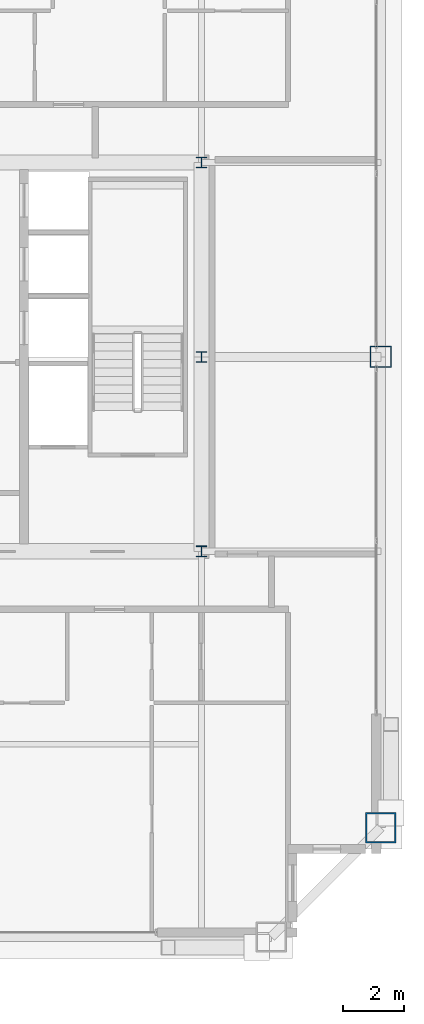
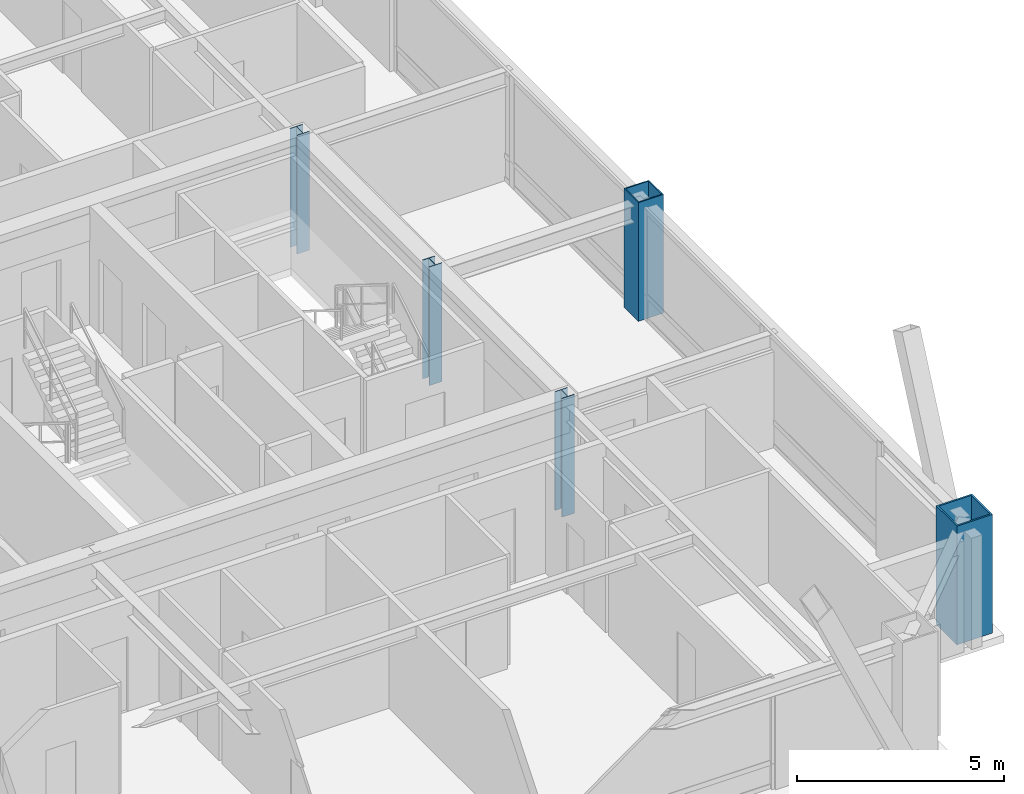
# One storey, part 2 of 33: 5 columns.
"""IFC4 building model written with IfcOpenShell, lengths in metres."""

from ifc_helpers import new_model, si_unit, direction, frame, origin, origin_2d, place, context, subcontext, project, spatial, hollow_rectangle, i_section, extrude, source, transform, mapped, material, material_profile, profile_set, type_object, element, save


model = new_model("IFC4")

# Units and contexts
model_context = context("Model", 3, precision=1e-05, world=origin(), true_north=direction((0.0, 1.0)))
body_context = subcontext(model_context, "Body", "Model", "MODEL_VIEW")
ifc_project = project(units=[si_unit("LENGTHUNIT", "METRE"), si_unit("AREAUNIT", "SQUARE_METRE"), si_unit("VOLUMEUNIT", "CUBIC_METRE"), si_unit("PLANEANGLEUNIT", "RADIAN"), si_unit("MASSUNIT", "GRAM", prefix="KILO"), si_unit("THERMODYNAMICTEMPERATUREUNIT", "KELVIN"), si_unit("POWERUNIT", "WATT")], contexts=[model_context])

# Site, building, storey
site_placement = place(None, origin())
site = spatial("IfcSite", under=ifc_project, at=site_placement, CompositionType="ELEMENT")
building_placement = place(site_placement, origin())
building = spatial("IfcBuilding", under=site, at=building_placement, Name="Yuzanri Waterfront Tower", CompositionType="ELEMENT")
storey_placement = place(building_placement, frame((0.0, 0.0, 292.60009765625)))
storey = spatial("IfcBuildingStorey", under=building, at=storey_placement, Name="L78", CompositionType="ELEMENT", Elevation=292.60009765625)

# Columns
ifc_material_1 = material(Name="Steel Q355B", Category="steel")
ifc_material_profile_1 = material_profile(ifc_material_1, hollow_rectangle(XDim=0.699951171875, YDim=0.699951171875, WallThickness=0.031982421875, at=origin_2d()), Name="RHS 700x700x32")
ifc_profile_set_1 = profile_set([ifc_material_profile_1], Name="Steel Q355B")
column_type_1 = type_object("IfcColumnType", Name="Frame Column Q355B RHS 700x700x32", PredefinedType="COLUMN", material=ifc_profile_set_1)
shared_shape_1 = source(origin(), body_context, "Body", "SweptSolid", [
    extrude(hollow_rectangle(XDim=0.699951171875, YDim=0.699951171875, WallThickness=0.031982421875, at=origin_2d()), origin(), (0.0, 0.0, 1.0), 3.5),
])
column_1_placement = place(storey_placement, frame((56.10009765625, 25.800048828125, 0.0), z_axis=(0.0, 0.0, 1.0), x_axis=(1.0, 0.0, 0.0)))
element("IfcColumn", 1, at=column_1_placement, inside=storey, type_object=column_type_1, Name="L78 Perimeter Frame Column E2", PredefinedType="COLUMN", context=body_context, shape_type="MappedRepresentation", body=[
    mapped(shared_shape_1, transform((0.0, 0.0, 0.0), scale=1.0)),
])
ifc_material_2 = material(Name="Steel Q355B", Category="steel")
ifc_material_profile_2 = material_profile(ifc_material_2, i_section(OverallWidth=0.35009765625, OverallDepth=0.35009765625, WebThickness=0.011962890625, FlangeThickness=0.01904296875, at=origin_2d()), Name="HW 350x350x12x19")
ifc_profile_set_2 = profile_set([ifc_material_profile_2], Name="Steel Q355B")
column_type_2 = type_object("IfcColumnType", Name="Core Post Q355B HW 350x350x12x19", PredefinedType="COLUMN", material=ifc_profile_set_2)
shared_shape_2 = source(origin(), body_context, "Body", "SweptSolid", [
    extrude(i_section(OverallWidth=0.35009765625, OverallDepth=0.35009765625, WebThickness=0.011962890625, FlangeThickness=0.01904296875, at=origin_2d()), origin(), (0.0, 0.0, 1.0), 3.5),
])
for number, where, z_axis, x_axis, name in (
    (2, (50.199951171875, 19.39990234375, 0.0), (0.0, 0.0, 1.0), (1.0, 0.0, 0.0), "L78 Core Boundary Column CP3"),
    (3, (50.199951171875, 25.800048828125, 0.0), (0.0, 0.0, 1.0), (1.0, 0.0, 0.0), "L78 Core Boundary Column CP5"),
    (4, (50.199951171875, 32.199951171875, 0.0), (0.0, 0.0, 1.0), (1.0, 0.0, 0.0), "L78 Core Boundary Column CP8"),
):
    element("IfcColumn", number, at=place(storey_placement, frame(where, z_axis=z_axis, x_axis=x_axis)), inside=storey, type_object=column_type_2, Name=name, PredefinedType="COLUMN", context=body_context, shape_type="MappedRepresentation", body=[
        mapped(shared_shape_2, transform((0.0, 0.0, 0.0), scale=1.0)),
    ])
ifc_material_3 = material(Name="Steel Q390GJC", Category="steel")
ifc_material_profile_3 = material_profile(ifc_material_3, hollow_rectangle(XDim=1.0, YDim=1.0, WallThickness=0.048095703125, at=origin_2d()), Name="RHS 1000x1000x48")
ifc_profile_set_3 = profile_set([ifc_material_profile_3], Name="Steel Q390GJC")
column_type_3 = type_object("IfcColumnType", Name="Mega Column Q390GJC RHS 1000x1000x48", PredefinedType="COLUMN", material=ifc_profile_set_3)
shared_shape_3 = source(origin(), body_context, "Body", "SweptSolid", [
    extrude(hollow_rectangle(XDim=1.0, YDim=1.0, WallThickness=0.048095703125, at=origin_2d()), origin(), (0.0, 0.0, 1.0), 3.5),
])
column_2_placement = place(storey_placement, frame((56.10009765625, 10.300048828125, 0.0), z_axis=(0.0, 0.0, 1.0), x_axis=(1.0, 0.0, 0.0)))
element("IfcColumn", 5, at=column_2_placement, inside=storey, type_object=column_type_3, Name="L78 Perimeter Mega Column E1", PredefinedType="COLUMN", context=body_context, shape_type="MappedRepresentation", body=[
    mapped(shared_shape_3, transform((0.0, 0.0, 0.0), scale=1.0)),
])

save(model, "model.ifc")
